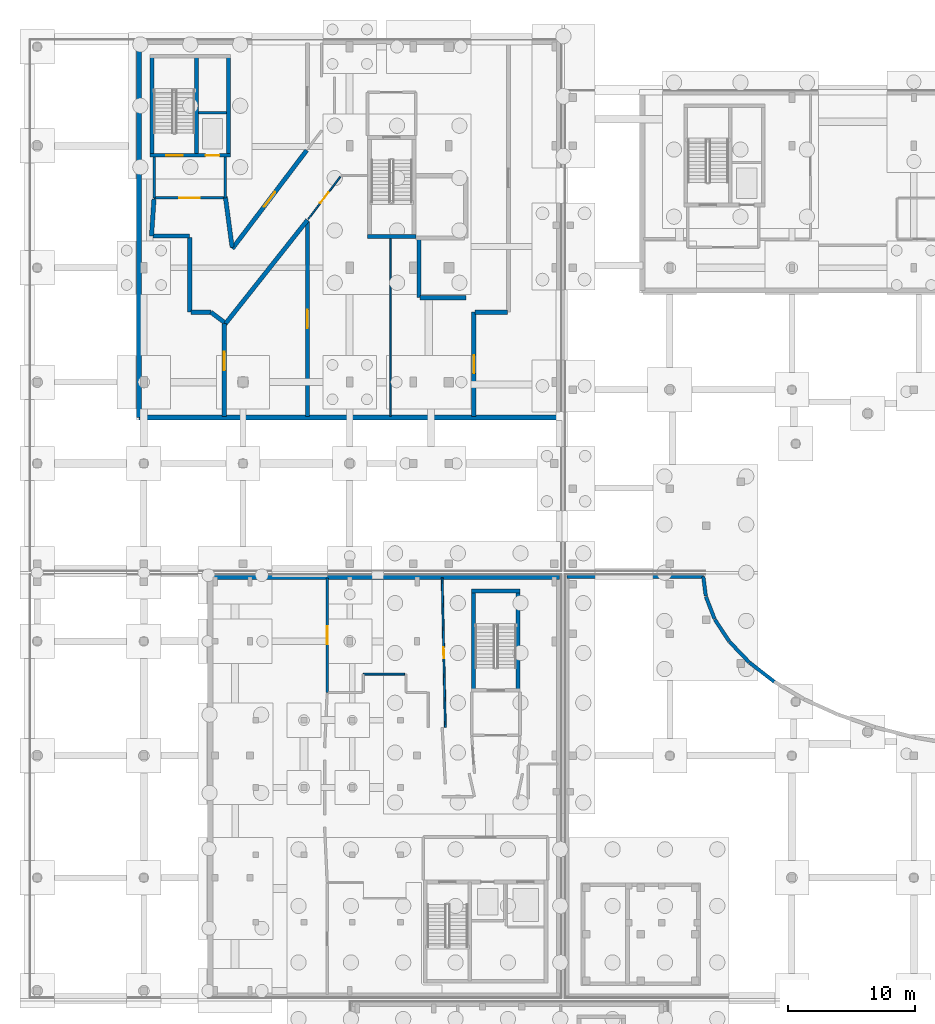
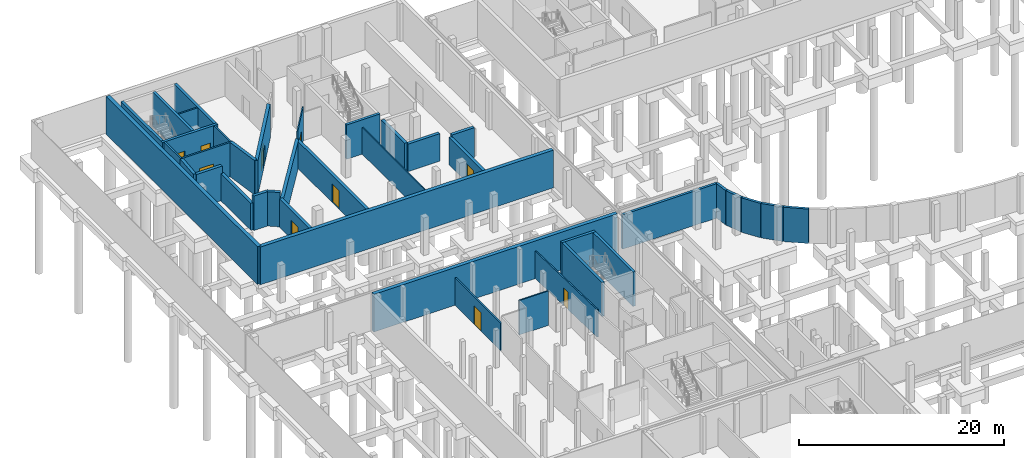
# One storey, part 23 of 40: 40 walls, 10 doors, 10 openings.
"""IFC4 building model written with IfcOpenShell, lengths in metres."""

from ifc_helpers import new_model, si_unit, direction, frame, frame_2d, origin, place, context, subcontext, project, spatial, rectangle, extrude, material, layer, layer_set, type_object, element, fill, save


model = new_model("IFC4")

# Units and contexts
model_context = context("Model", 3, precision=1e-05, world=origin(), true_north=direction((0.0, 1.0)))
body_context = subcontext(model_context, "Body", "Model", "MODEL_VIEW")
ifc_project = project(units=[si_unit("LENGTHUNIT", "METRE"), si_unit("AREAUNIT", "SQUARE_METRE"), si_unit("VOLUMEUNIT", "CUBIC_METRE"), si_unit("PLANEANGLEUNIT", "RADIAN"), si_unit("MASSUNIT", "GRAM", prefix="KILO")], contexts=[model_context])

# Site, building, storey
site_placement = place(None, origin())
site = spatial("IfcSite", under=ifc_project, at=site_placement, CompositionType="ELEMENT")
building_placement = place(site_placement, origin())
building = spatial("IfcBuilding", under=site, at=building_placement, Name="Mzevani Central Library", CompositionType="ELEMENT")
storey_placement = place(building_placement, frame((0.0, 0.0, -4.5)))
storey = spatial("IfcBuildingStorey", under=building, at=storey_placement, Name="B1", CompositionType="ELEMENT", Elevation=-4.5)

# Walls
ifc_material_1 = material(Name="Concrete C40/50", Category="concrete")
ifc_layer_1 = layer(ifc_material_1, 0.340087890625, Name="Archival Vault Wall 340")
ifc_layer_set_1 = layer_set([ifc_layer_1], Name="Concrete C40/50")
wall_type_1 = type_object("IfcWallType", Name="Archival Vault Wall 340", PredefinedType="STANDARD", material=ifc_layer_set_1)
wall_1_placement = place(storey_placement, frame((13.793212890625, 105.400146484375, 0.0), z_axis=(0.0, 0.0, 1.0), x_axis=(-0.066440960793, -0.997790358106, 0.0)))
element("IfcWall", 1, at=wall_1_placement, inside=storey, type_object=wall_type_1, Name="B1 V2 Partition IW-VAULT (1)", PredefinedType="STANDARD", context=body_context, shape_type="SweptSolid", body=[
    extrude(rectangle(XDim=2.906494140625, YDim=0.340087890625, at=frame_2d((1.453125, 0.0))), origin(), (0.0, 0.0, 1.0), 4.10009765625),
])
wall_2_placement = place(storey_placement, frame((13.699951171875, 102.5, 0.0), z_axis=(0.0, 0.0, 1.0), x_axis=(1.0, 0.0, 0.0)))
element("IfcWall", 2, at=wall_2_placement, inside=storey, type_object=wall_type_1, Name="B1 V2 Partition IW-VAULT (2)", PredefinedType="STANDARD", context=body_context, shape_type="SweptSolid", body=[
    extrude(rectangle(XDim=2.900146484375, YDim=0.340087890625, at=frame_2d((1.4501953125, 0.0))), origin(), (0.0, 0.0, 1.0), 4.10009765625),
])
wall_3_placement = place(storey_placement, frame((16.60009765625, 102.39990234375, 0.0), z_axis=(0.0, 0.0, 1.0), x_axis=(0.0, -1.0, 0.0)))
element("IfcWall", 3, at=wall_3_placement, inside=storey, type_object=wall_type_1, Name="B1 V2 Partition IW-VAULT (3)", PredefinedType="STANDARD", context=body_context, shape_type="SweptSolid", body=[
    extrude(rectangle(XDim=5.89990234375, YDim=0.340087890625, at=frame_2d((2.949951171875, 0.0))), origin(), (0.0, 0.0, 1.0), 3.22998046875),
])
wall_4_placement = place(storey_placement, frame((16.699951171875, 96.5, 0.0), z_axis=(0.0, 0.0, 1.0), x_axis=(1.0, 0.0, 0.0)))
element("IfcWall", 4, at=wall_4_placement, inside=storey, type_object=wall_type_1, Name="B1 V2 Partition IW-VAULT (4)", PredefinedType="STANDARD", context=body_context, shape_type="SweptSolid", body=[
    extrude(rectangle(XDim=1.580078125, YDim=0.340087890625, at=frame_2d((0.7900390625, 0.0))), origin(), (0.0, 0.0, 1.0), 4.10009765625),
])
wall_5_placement = place(storey_placement, frame((18.280029296875, 96.5, 0.0), z_axis=(0.0, 0.0, 1.0), x_axis=(0.797495786503, -0.603324515092, 0.0)))
element("IfcWall", 5, at=wall_5_placement, inside=storey, type_object=wall_type_1, Name="B1 V2 Partition IW-VAULT (5)", PredefinedType="STANDARD", context=body_context, shape_type="SweptSolid", body=[
    extrude(rectangle(XDim=1.31396484375, YDim=0.340087890625, at=frame_2d((0.656982421875, 0.0))), origin(), (0.0, 0.0, 1.0), 4.10009765625),
])

# Wall, opening, door
wall_6_placement = place(storey_placement, frame((19.327880859375, 95.607421875, 0.0), z_axis=(0.0, 0.0, 1.0), x_axis=(0.0, -1.0, 0.0)))
wall_6 = element("IfcWall", 6, at=wall_6_placement, inside=storey, type_object=wall_type_1, Name="B1 V2 Partition IW-VAULT (6)", PredefinedType="STANDARD", context=body_context, shape_type="SweptSolid", body=[
    extrude(rectangle(XDim=7.29736328125, YDim=0.340087890625, at=frame_2d((3.648681640625, 0.0))), origin(), (0.0, 0.0, 1.0), 3.3798828125),
])
opening_1_placement = place(wall_6_placement, frame((2.2236328125, 0.0, 0.0)))
opening_1 = element("IfcOpeningElement", 7, at=opening_1_placement, cuts=wall_6, Name="Opening FD-03", PredefinedType="OPENING", context=body_context, shape_type="SweptSolid", body=[
    extrude(rectangle(XDim=1.449951171875, YDim=2.199951171875, at=frame_2d((0.72509765625, 1.10009765625))), frame((0.0, 0.18017578125, 0.0), z_axis=(0.0, -1.0, 0.0), x_axis=(1.0, 0.0, 0.0)), (0.0, 0.0, 1.0), 0.360107421875),
])
ifc_material_2 = material(Name="Fire-rated steel door assembly", Category="steel")
door_type_1 = type_object("IfcDoorType", Name="Archival Vault Fire Door 1450x2200", OperationType="NOTDEFINED", PredefinedType="DOOR", material=ifc_material_2)
door_1_placement = place(opening_1_placement, origin())
door_1 = element("IfcDoor", 8, at=door_1_placement, inside=storey, type_object=door_type_1, Name="B1 Rare Books Climate Vault Door", OperationType="DOUBLE_DOOR_SINGLE_SWING", OverallHeight=2.199951171875, OverallWidth=1.449951171875, PredefinedType="DOOR", context=body_context, shape_type="SweptSolid", body=[
    extrude(rectangle(XDim=1.449951171875, YDim=2.199951171875, at=frame_2d((0.72509765625, 1.10009765625))), frame((0.0, 0.02490234375, 0.0), z_axis=(0.0, -1.0, 0.0), x_axis=(1.0, 0.0, 0.0)), (0.0, 0.0, 1.0), 0.050048828125),
])
fill(opening_1, door_1)

wall_7_placement = place(storey_placement, frame((25.815673828125, 109.24755859375, 0.0), z_axis=(0.0, 0.0, 1.0), x_axis=(-0.60326673285, -0.79753949685, 0.0)))
wall_7 = element("IfcWall", 9, at=wall_7_placement, inside=storey, type_object=wall_type_1, Name="B1 V2 Partition IW-VAULT (8)", PredefinedType="STANDARD", context=body_context, shape_type="SweptSolid", body=[
    extrude(rectangle(XDim=9.706787109375, YDim=0.340087890625, at=frame_2d((4.853515625, 0.0))), origin(), (0.0, 0.0, 1.0), 4.10009765625),
])
opening_2_placement = place(wall_7_placement, frame((4.12841796875, 0.0, 0.0)))
opening_2 = element("IfcOpeningElement", 10, at=opening_2_placement, cuts=wall_7, Name="Opening FD-03", PredefinedType="OPENING", context=body_context, shape_type="SweptSolid", body=[
    extrude(rectangle(XDim=1.449951171875, YDim=2.199951171875, at=frame_2d((0.72509765625, 1.10009765625))), frame((0.0, 0.18017578125, 0.0), z_axis=(0.0, -1.0, 0.0), x_axis=(1.0, 0.0, 0.0)), (0.0, 0.0, 1.0), 0.360107421875),
])
door_2_placement = place(opening_2_placement, origin())
door_2 = element("IfcDoor", 11, at=door_2_placement, inside=storey, type_object=door_type_1, Name="B1 Manuscript Preservation Vault Door", OperationType="DOUBLE_DOOR_SINGLE_SWING", OverallHeight=2.199951171875, OverallWidth=1.449951171875, PredefinedType="DOOR", context=body_context, shape_type="SweptSolid", body=[
    extrude(rectangle(XDim=1.449951171875, YDim=2.199951171875, at=frame_2d((0.72509765625, 1.10009765625))), frame((0.0, 0.02490234375, 0.0), z_axis=(0.0, -1.0, 0.0), x_axis=(1.0, 0.0, 0.0)), (0.0, 0.0, 1.0), 0.050048828125),
])
fill(opening_2, door_2)

# Walls
wall_8_placement = place(storey_placement, frame((19.94677734375, 101.60498046875, 0.0), z_axis=(0.0, 0.0, 1.0), x_axis=(-0.132980911194, 0.991118598987, 0.0)))
element("IfcWall", 12, at=wall_8_placement, inside=storey, type_object=wall_type_1, Name="B1 V2 Partition IW-VAULT (9)", PredefinedType="STANDARD", context=body_context, shape_type="SweptSolid", body=[
    extrude(rectangle(XDim=4.011474609375, YDim=0.340087890625, at=frame_2d((2.005859375, 0.0))), origin(), (0.0, 0.0, 1.0), 4.10009765625),
])
wall_9_placement = place(storey_placement, frame((19.39013671875, 95.56494140625, 0.0), z_axis=(0.0, 0.0, 1.0), x_axis=(0.620703542818, 0.784045350687, 0.0)))
element("IfcWall", 13, at=wall_9_placement, inside=storey, type_object=wall_type_1, Name="B1 V2 Partition IW-VAULT (10)", PredefinedType="STANDARD", context=body_context, shape_type="SweptSolid", body=[
    extrude(rectangle(XDim=10.44921875, YDim=0.340087890625, at=frame_2d((5.224609375, 0.0))), origin(), (0.0, 0.0, 1.0), 3.22998046875),
])

# Wall, opening, door
wall_10_placement = place(storey_placement, frame((25.8759765625, 103.65771484375, 0.0), z_axis=(0.0, 0.0, 1.0), x_axis=(0.0, -1.0, 0.0)))
wall_10 = element("IfcWall", 14, at=wall_10_placement, inside=storey, type_object=wall_type_1, Name="B1 V2 Partition IW-VAULT (11)", PredefinedType="STANDARD", context=body_context, shape_type="SweptSolid", body=[
    extrude(rectangle(XDim=15.34765625, YDim=0.340087890625, at=frame_2d((7.673828125, 0.0))), origin(), (0.0, 0.0, 1.0), 3.22998046875),
])
opening_3_placement = place(wall_10_placement, frame((6.94873046875, 0.0, 0.0)))
opening_3 = element("IfcOpeningElement", 15, at=opening_3_placement, cuts=wall_10, Name="Opening FD-03", PredefinedType="OPENING", context=body_context, shape_type="SweptSolid", body=[
    extrude(rectangle(XDim=1.449951171875, YDim=2.199951171875, at=frame_2d((0.72509765625, 1.10009765625))), frame((0.0, 0.18017578125, 0.0), z_axis=(0.0, -1.0, 0.0), x_axis=(1.0, 0.0, 0.0)), (0.0, 0.0, 1.0), 0.360107421875),
])
door_3_placement = place(opening_3_placement, origin())
door_3 = element("IfcDoor", 16, at=door_3_placement, inside=storey, type_object=door_type_1, Name="B1 Archival Cold Storage Chamber Door", OperationType="DOUBLE_DOOR_SINGLE_SWING", OverallHeight=2.199951171875, OverallWidth=1.449951171875, PredefinedType="DOOR", context=body_context, shape_type="SweptSolid", body=[
    extrude(rectangle(XDim=1.449951171875, YDim=2.199951171875, at=frame_2d((0.72509765625, 1.10009765625))), frame((0.0, 0.02490234375, 0.0), z_axis=(0.0, -1.0, 0.0), x_axis=(1.0, 0.0, 0.0)), (0.0, 0.0, 1.0), 0.050048828125),
])
fill(opening_3, door_3)

# Walls
wall_11_placement = place(storey_placement, frame((34.64990234375, 102.25, 0.0), z_axis=(0.0, 0.0, 1.0), x_axis=(0.0, -1.0, 0.0)))
element("IfcWall", 17, at=wall_11_placement, inside=storey, type_object=wall_type_1, Name="B1 V2 Partition IW-VAULT (21)", PredefinedType="STANDARD", context=body_context, shape_type="SweptSolid", body=[
    extrude(rectangle(XDim=4.60009765625, YDim=0.340087890625, at=frame_2d((2.300048828125, 0.0))), origin(), (0.0, 0.0, 1.0), 3.3798828125),
])
wall_12_placement = place(storey_placement, frame((34.75, 97.64990234375, 0.0), z_axis=(0.0, 0.0, 1.0), x_axis=(1.0, 0.0, 0.0)))
element("IfcWall", 18, at=wall_12_placement, inside=storey, type_object=wall_type_1, Name="B1 V2 Partition IW-VAULT (22)", PredefinedType="STANDARD", context=body_context, shape_type="SweptSolid", body=[
    extrude(rectangle(XDim=3.590087890625, YDim=0.340087890625, at=frame_2d((1.794921875, 0.0))), origin(), (0.0, 0.0, 1.0), 3.280029296875),
])

# Wall, opening, door
wall_13_placement = place(storey_placement, frame((38.971923828125, 96.5, 0.0), z_axis=(0.0, 0.0, 1.0), x_axis=(0.0, -1.0, 0.0)))
wall_13 = element("IfcWall", 19, at=wall_13_placement, inside=storey, type_object=wall_type_1, Name="B1 V2 Partition IW-VAULT (23)", PredefinedType="STANDARD", context=body_context, shape_type="SweptSolid", body=[
    extrude(rectangle(XDim=8.18994140625, YDim=0.340087890625, at=frame_2d((4.094970703125, 0.0))), origin(), (0.0, 0.0, 1.0), 3.280029296875),
])
opening_4_placement = place(wall_13_placement, frame((3.3701171875, 0.0, 0.0)))
opening_4 = element("IfcOpeningElement", 20, at=opening_4_placement, cuts=wall_13, Name="Opening FD-03", PredefinedType="OPENING", context=body_context, shape_type="SweptSolid", body=[
    extrude(rectangle(XDim=1.449951171875, YDim=2.199951171875, at=frame_2d((0.72509765625, 1.10009765625))), frame((0.0, 0.18017578125, 0.0), z_axis=(0.0, -1.0, 0.0), x_axis=(1.0, 0.0, 0.0)), (0.0, 0.0, 1.0), 0.360107421875),
])
door_4_placement = place(opening_4_placement, origin())
door_4 = element("IfcDoor", 21, at=door_4_placement, inside=storey, type_object=door_type_1, Name="B1 Rare Books Climate Vault 2 Door", OperationType="DOUBLE_DOOR_SINGLE_SWING", OverallHeight=2.199951171875, OverallWidth=1.449951171875, PredefinedType="DOOR", context=body_context, shape_type="SweptSolid", body=[
    extrude(rectangle(XDim=1.449951171875, YDim=2.199951171875, at=frame_2d((0.72509765625, 1.10009765625))), frame((0.0, 0.02490234375, 0.0), z_axis=(0.0, -1.0, 0.0), x_axis=(1.0, 0.0, 0.0)), (0.0, 0.0, 1.0), 0.050048828125),
])
fill(opening_4, door_4)

# Walls
wall_14_placement = place(storey_placement, frame((39.072021484375, 96.5, 0.0), z_axis=(0.0, 0.0, 1.0), x_axis=(1.0, 0.0, 0.0)))
element("IfcWall", 22, at=wall_14_placement, inside=storey, type_object=wall_type_1, Name="B1 V2 Partition IW-VAULT (25)", PredefinedType="STANDARD", context=body_context, shape_type="SweptSolid", body=[
    extrude(rectangle(XDim=2.528076171875, YDim=0.340087890625, at=frame_2d((1.26416015625, 0.0))), origin(), (0.0, 0.0, 1.0), 3.56005859375),
])
ifc_material_3 = material(Name="Concrete C35/45", Category="concrete")
ifc_layer_2 = layer(ifc_material_3, 0.419921875, Name="Basement Retaining Wall 420")
ifc_layer_set_2 = layer_set([ifc_layer_2], Name="Concrete C35/45")
wall_type_2 = type_object("IfcWallType", Name="Basement Retaining Wall 420", PredefinedType="SOLIDWALL", material=ifc_layer_set_2)
wall_15_placement = place(storey_placement, frame((45.68994140625, 88.2099609375, 0.0), z_axis=(0.0, 0.0, 1.0), x_axis=(-1.0, 0.0, 0.0)))
element("IfcWall", 23, at=wall_15_placement, inside=storey, type_object=wall_type_2, Name="B1 V2 Perimeter Retaining Wall (39)", PredefinedType="SOLIDWALL", context=body_context, shape_type="SweptSolid", body=[
    extrude(rectangle(XDim=33.079833984375, YDim=0.419921875, at=frame_2d((16.5400390625, 0.0))), origin(), (0.0, 0.0, 1.0), 4.5),
])
wall_16_placement = place(storey_placement, frame((12.610107421875, 88.2099609375, 0.0), z_axis=(0.0, 0.0, 1.0), x_axis=(0.0, 1.0, 0.0)))
element("IfcWall", 24, at=wall_16_placement, inside=storey, type_object=wall_type_2, Name="B1 V2 Perimeter Retaining Wall (40)", PredefinedType="SOLIDWALL", context=body_context, shape_type="SweptSolid", body=[
    extrude(rectangle(XDim=29.580078125, YDim=0.419921875, at=frame_2d((14.7900390625, 0.0))), origin(), (0.0, 0.0, 1.0), 4.5),
])
wall_17_placement = place(storey_placement, frame((18.2099609375, 75.68994140625, 0.0), z_axis=(0.0, 0.0, 1.0), x_axis=(1.0, 0.0, 0.0)))
element("IfcWall", 25, at=wall_17_placement, inside=storey, type_object=wall_type_2, Name="B1 V5 Perimeter Retaining Wall (66)", PredefinedType="SOLIDWALL", context=body_context, shape_type="SweptSolid", body=[
    extrude(rectangle(XDim=27.47998046875, YDim=0.419921875, at=frame_2d((13.739990234375, 0.0))), origin(), (0.0, 0.0, 1.0), 4.5),
])
ifc_layer_3 = layer(ifc_material_3, 0.199951171875, Name="Compartment Wall 200")
ifc_layer_set_3 = layer_set([ifc_layer_3], Name="Concrete C35/45")
wall_type_3 = type_object("IfcWallType", Name="Compartment Wall 200", PredefinedType="STANDARD", material=ifc_layer_set_3)
wall_18_placement = place(storey_placement, frame((13.800048828125, 108.699951171875, 0.0), z_axis=(0.0, 0.0, 1.0), x_axis=(0.0, -1.0, 0.0)))
element("IfcWall", 26, at=wall_18_placement, inside=storey, type_object=wall_type_3, Name="B1 Firefighting Stair and Lift Lobby C2A Enclosure Wall 1", PredefinedType="STANDARD", context=body_context, shape_type="SweptSolid", body=[
    extrude(rectangle(XDim=3.199951171875, YDim=0.199951171875, at=frame_2d((1.60009765625, 0.0))), origin(), (0.0, 0.0, 1.0), 4.10009765625),
])

# Wall, opening, door
wall_19_placement = place(storey_placement, frame((13.800048828125, 105.5, 0.0), z_axis=(0.0, 0.0, 1.0), x_axis=(1.0, 0.0, 0.0)))
wall_19 = element("IfcWall", 27, at=wall_19_placement, inside=storey, type_object=wall_type_3, Name="B1 Firefighting Stair and Lift Lobby C2A Enclosure Wall 2", PredefinedType="STANDARD", context=body_context, shape_type="SweptSolid", body=[
    extrude(rectangle(XDim=5.599853515625, YDim=0.199951171875, at=frame_2d((2.7998046875, 0.0))), origin(), (0.0, 0.0, 1.0), 4.10009765625),
])
opening_5_placement = place(wall_19_placement, frame((2.0, 0.0, 0.0)))
opening_5 = element("IfcOpeningElement", 28, at=opening_5_placement, cuts=wall_19, Name="Opening FD-02", PredefinedType="OPENING", context=body_context, shape_type="SweptSolid", body=[
    extrude(rectangle(XDim=1.60009765625, YDim=2.199951171875, at=frame_2d((0.800048828125, 1.10009765625))), frame((0.0, 0.10986328125, 0.0), z_axis=(0.0, -1.0, 0.0), x_axis=(1.0, 0.0, 0.0)), (0.0, 0.0, 1.0), 0.219970703125),
])
door_type_2 = type_object("IfcDoorType", Name="Fire Lobby Double Door 1600x2200", OperationType="NOTDEFINED", PredefinedType="DOOR", material=ifc_material_2)
door_5_placement = place(opening_5_placement, origin())
door_5 = element("IfcDoor", 29, at=door_5_placement, inside=storey, type_object=door_type_2, Name="B1 Firefighting Stair and Lift Lobby C2A Smoke-Control Door", OperationType="DOUBLE_DOOR_SINGLE_SWING", OverallHeight=2.199951171875, OverallWidth=1.60009765625, PredefinedType="DOOR", context=body_context, shape_type="SweptSolid", body=[
    extrude(rectangle(XDim=1.60009765625, YDim=2.199951171875, at=frame_2d((0.800048828125, 1.10009765625))), frame((0.0, 0.02490234375, 0.0), z_axis=(0.0, -1.0, 0.0), x_axis=(1.0, 0.0, 0.0)), (0.0, 0.0, 1.0), 0.050048828125),
])
fill(opening_5, door_5)

# Wall
wall_20_placement = place(storey_placement, frame((19.39990234375, 105.5, 0.0), z_axis=(0.0, 0.0, 1.0), x_axis=(0.0, 1.0, 0.0)))
element("IfcWall", 30, at=wall_20_placement, inside=storey, type_object=wall_type_3, Name="B1 Firefighting Stair and Lift Lobby C2A Enclosure Wall 3", PredefinedType="STANDARD", context=body_context, shape_type="SweptSolid", body=[
    extrude(rectangle(XDim=3.199951171875, YDim=0.199951171875, at=frame_2d((1.60009765625, 0.0))), origin(), (0.0, 0.0, 1.0), 4.10009765625),
])

# Wall, openings, doors
ifc_layer_4 = layer(ifc_material_1, 0.300048828125, Name="Core Shear Wall 300")
ifc_layer_set_4 = layer_set([ifc_layer_4], Name="Concrete C40/50")
wall_type_4 = type_object("IfcWallType", Name="Core Shear Wall 300", PredefinedType="SHEAR", material=ifc_layer_set_4)
wall_21_placement = place(storey_placement, frame((19.800048828125, 108.85009765625, 0.0), z_axis=(0.0, 0.0, 1.0), x_axis=(-1.0, 0.0, 0.0)))
wall_21 = element("IfcWall", 31, at=wall_21_placement, inside=storey, type_object=wall_type_4, Name="B1 Core C2A North-West Firefighting Core Shear Wall (-y)", PredefinedType="SHEAR", context=body_context, shape_type="SweptSolid", body=[
    extrude(rectangle(XDim=6.300048828125, YDim=0.300048828125, at=frame_2d((3.14990234375, 0.0))), origin(), (0.0, 0.0, 1.0), 4.10009765625),
])
opening_6_placement = place(wall_21_placement, frame((3.75, 0.0, 0.0)))
opening_6 = element("IfcOpeningElement", 32, at=opening_6_placement, cuts=wall_21, Name="Opening FD-01", PredefinedType="OPENING", context=body_context, shape_type="SweptSolid", body=[
    extrude(rectangle(XDim=1.300048828125, YDim=2.199951171875, at=frame_2d((0.64990234375, 1.10009765625))), frame((0.0, 0.16015625, 0.0), z_axis=(0.0, -1.0, 0.0), x_axis=(1.0, 0.0, 0.0)), (0.0, 0.0, 1.0), 0.320068359375),
])
opening_7_placement = place(wall_21_placement, frame((0.85009765625, 0.0, 0.0)))
opening_7 = element("IfcOpeningElement", 33, at=opening_7_placement, cuts=wall_21, Name="Opening LD-02", PredefinedType="OPENING", context=body_context, shape_type="SweptSolid", body=[
    extrude(rectangle(XDim=1.10009765625, YDim=2.14990234375, at=frame_2d((0.550048828125, 1.074951171875))), frame((0.0, 0.16015625, 0.0), z_axis=(0.0, -1.0, 0.0), x_axis=(1.0, 0.0, 0.0)), (0.0, 0.0, 1.0), 0.320068359375),
])
door_type_3 = type_object("IfcDoorType", Name="Fire Stair Door 1300x2200", OperationType="NOTDEFINED", PredefinedType="DOOR", material=ifc_material_2)
door_6_placement = place(opening_6_placement, origin())
door_6 = element("IfcDoor", 34, at=door_6_placement, inside=storey, type_object=door_type_3, Name="B1 ST-03 Protected Exit Stair Door", OperationType="SINGLE_SWING_RIGHT", OverallHeight=2.199951171875, OverallWidth=1.300048828125, PredefinedType="DOOR", context=body_context, shape_type="SweptSolid", body=[
    extrude(rectangle(XDim=1.300048828125, YDim=2.199951171875, at=frame_2d((0.64990234375, 1.10009765625))), frame((0.0, 0.02490234375, 0.0), z_axis=(0.0, -1.0, 0.0), x_axis=(1.0, 0.0, 0.0)), (0.0, 0.0, 1.0), 0.050048828125),
])
fill(opening_6, door_6)
ifc_material_4 = material(Name="Brushed stainless steel door", Category="steel")
door_type_4 = type_object("IfcDoorType", Name="Firefighting Lift Landing Door 1100x2150", OperationType="NOTDEFINED", PredefinedType="DOOR", material=ifc_material_4)
door_7_placement = place(opening_7_placement, origin())
door_7 = element("IfcDoor", 35, at=door_7_placement, inside=storey, type_object=door_type_4, Name="B1 Lift LF-FF1 Sliding Landing Door", OperationType="SLIDING_TO_LEFT", OverallHeight=2.14990234375, OverallWidth=1.10009765625, PredefinedType="DOOR", context=body_context, shape_type="SweptSolid", body=[
    extrude(rectangle(XDim=1.10009765625, YDim=2.14990234375, at=frame_2d((0.550048828125, 1.074951171875))), frame((0.0, 0.02490234375, 0.0), z_axis=(0.0, -1.0, 0.0), x_axis=(1.0, 0.0, 0.0)), (0.0, 0.0, 1.0), 0.050048828125),
])
fill(opening_7, door_7)

# Walls
for number, where, z_axis, x_axis, name in (
    (36, (13.64990234375, 108.699951171875, 0.0), (0.0, 0.0, 1.0), (0.0, 1.0, 0.0), "B1 Core C2A North-West Firefighting Core Shear Wall (-x)"),
    (37, (19.64990234375, 116.800048828125, 0.0), (0.0, 0.0, 1.0), (0.0, -1.0, 0.0), "B1 Core C2A North-West Firefighting Core Shear Wall (+x)"),
):
    element("IfcWall", number, at=place(storey_placement, frame(where, z_axis=z_axis, x_axis=x_axis)), inside=storey, type_object=wall_type_4, Name=name, PredefinedType="SHEAR", context=body_context, shape_type="SweptSolid", body=[
        extrude(rectangle(XDim=8.10009765625, YDim=0.300048828125, at=frame_2d((4.050048828125, 0.0))), origin(), (0.0, 0.0, 1.0), 4.10009765625),
    ])
wall_22_placement = place(storey_placement, frame((17.14990234375, 108.85009765625, 0.0), z_axis=(0.0, 0.0, 1.0), x_axis=(0.0, 1.0, 0.0)))
element("IfcWall", 38, at=wall_22_placement, inside=storey, type_object=wall_type_4, Name="B1 Core C2A North-West Firefighting Core Hoistway Shear Wall", PredefinedType="SHEAR", context=body_context, shape_type="SweptSolid", body=[
    extrude(rectangle(XDim=7.7998046875, YDim=0.300048828125, at=frame_2d((3.89990234375, 0.0))), origin(), (0.0, 0.0, 1.0), 4.10009765625),
])
wall_23_placement = place(storey_placement, frame((34.39990234375, 102.449951171875, 0.0), z_axis=(0.0, 0.0, 1.0), x_axis=(-1.0, 0.0, 0.0)))
element("IfcWall", 39, at=wall_23_placement, inside=storey, type_object=wall_type_4, Name="B1 Core C2B Stacks East Escape Stair Shear Wall (-y)", PredefinedType="SHEAR", context=body_context, shape_type="SweptSolid", body=[
    extrude(rectangle(XDim=3.7998046875, YDim=0.300048828125, at=frame_2d((1.89990234375, 0.0))), origin(), (0.0, 0.0, 1.0), 4.10009765625),
])
wall_24_placement = place(storey_placement, frame((38.949951171875, 66.60009765625, 0.0), z_axis=(0.0, 0.0, 1.0), x_axis=(0.0, 1.0, 0.0)))
element("IfcWall", 40, at=wall_24_placement, inside=storey, type_object=wall_type_4, Name="B1 Core C5B Lecture North Escape Stair Shear Wall (-x)", PredefinedType="SHEAR", context=body_context, shape_type="SweptSolid", body=[
    extrude(rectangle(XDim=8.099853515625, YDim=0.300048828125, at=frame_2d((4.0498046875, 0.0))), origin(), (0.0, 0.0, 1.0), 4.10009765625),
])
wall_25_placement = place(storey_placement, frame((38.800048828125, 74.550048828125, 0.0), z_axis=(0.0, 0.0, 1.0), x_axis=(1.0, 0.0, 0.0)))
element("IfcWall", 41, at=wall_25_placement, inside=storey, type_object=wall_type_4, Name="B1 Core C5B Lecture North Escape Stair Shear Wall (+y)", PredefinedType="SHEAR", context=body_context, shape_type="SweptSolid", body=[
    extrude(rectangle(XDim=3.800048828125, YDim=0.300048828125, at=frame_2d((1.89990234375, 0.0))), origin(), (0.0, 0.0, 1.0), 4.10009765625),
])
wall_26_placement = place(storey_placement, frame((42.449951171875, 74.699951171875, 0.0), z_axis=(0.0, 0.0, 1.0), x_axis=(0.0, -1.0, 0.0)))
element("IfcWall", 42, at=wall_26_placement, inside=storey, type_object=wall_type_4, Name="B1 Core C5B Lecture North Escape Stair Shear Wall (+x)", PredefinedType="SHEAR", context=body_context, shape_type="SweptSolid", body=[
    extrude(rectangle(XDim=8.099853515625, YDim=0.300048828125, at=frame_2d((4.0498046875, 0.0))), origin(), (0.0, 0.0, 1.0), 4.10009765625),
])
ifc_material_5 = material(Name="Precast concrete C40/50", Category="concrete")
ifc_layer_5 = layer(ifc_material_5, 0.280029296875, Name="Court Spandrel Wall 280")
ifc_layer_set_5 = layer_set([ifc_layer_5], Name="Precast concrete C40/50")
wall_type_5 = type_object("IfcWallType", Name="Court Spandrel Wall 280", PredefinedType="STANDARD", material=ifc_layer_set_5)
wall_27_placement = place(storey_placement, frame((46.31005859375, 75.68994140625, 0.0), z_axis=(0.0, 0.0, 1.0), x_axis=(1.0, 0.0, 0.0)))
element("IfcWall", 43, at=wall_27_placement, inside=storey, type_object=wall_type_5, Name="B1 V1 Perimeter Plinth Wall (9)", PredefinedType="STANDARD", context=body_context, shape_type="SweptSolid", body=[
    extrude(rectangle(XDim=10.717529296875, YDim=0.280029296875, at=frame_2d((5.35888671875, 0.0))), origin(), (0.0, 0.0, 1.0), 4.10009765625),
])
wall_28_placement = place(storey_placement, frame((57.027587890625, 75.68994140625, 0.0), z_axis=(0.0, 0.0, 1.0), x_axis=(0.126251427539, -0.991998274718, 0.0)))
element("IfcWall", 44, at=wall_28_placement, inside=storey, type_object=wall_type_5, Name="B1 V1 Perimeter Plinth Wall (10)", PredefinedType="STANDARD", context=body_context, shape_type="SweptSolid", body=[
    extrude(rectangle(XDim=1.531494140625, YDim=0.280029296875, at=frame_2d((0.765625, 0.0))), origin(), (0.0, 0.0, 1.0), 4.10009765625),
])
wall_29_placement = place(storey_placement, frame((57.2333984375, 74.12158203125, 0.0), z_axis=(0.0, 0.0, 1.0), x_axis=(0.360038302589, -0.932937522382, 0.0)))
element("IfcWall", 45, at=wall_29_placement, inside=storey, type_object=wall_type_5, Name="B1 V1 Perimeter Plinth Wall (11)", PredefinedType="STANDARD", context=body_context, shape_type="SweptSolid", body=[
    extrude(rectangle(XDim=1.8994140625, YDim=0.280029296875, at=frame_2d((0.94970703125, 0.0))), origin(), (0.0, 0.0, 1.0), 4.10009765625),
])
wall_30_placement = place(storey_placement, frame((57.937744140625, 72.3095703125, 0.0), z_axis=(0.0, 0.0, 1.0), x_axis=(0.550071659346, -0.835117458556, 0.0)))
element("IfcWall", 46, at=wall_30_placement, inside=storey, type_object=wall_type_5, Name="B1 V1 Perimeter Plinth Wall (12)", PredefinedType="STANDARD", context=body_context, shape_type="SweptSolid", body=[
    extrude(rectangle(XDim=2.048828125, YDim=0.280029296875, at=frame_2d((1.0244140625, 0.0))), origin(), (0.0, 0.0, 1.0), 4.10009765625),
])
wall_31_placement = place(storey_placement, frame((59.08837890625, 70.569091796875, 0.0), z_axis=(0.0, 0.0, 1.0), x_axis=(0.691368458863, -0.722502355767, 0.0)))
element("IfcWall", 47, at=wall_31_placement, inside=storey, type_object=wall_type_5, Name="B1 V1 Perimeter Plinth Wall (13)", PredefinedType="STANDARD", context=body_context, shape_type="SweptSolid", body=[
    extrude(rectangle(XDim=2.24267578125, YDim=0.280029296875, at=frame_2d((1.121337890625, 0.0))), origin(), (0.0, 0.0, 1.0), 4.10009765625),
])
wall_32_placement = place(storey_placement, frame((60.662353515625, 68.927490234375, 0.0), z_axis=(0.0, 0.0, 1.0), x_axis=(0.791815172507, -0.610760781802, 0.0)))
element("IfcWall", 48, at=wall_32_placement, inside=storey, type_object=wall_type_5, Name="B1 V1 Perimeter Plinth Wall (14)", PredefinedType="STANDARD", context=body_context, shape_type="SweptSolid", body=[
    extrude(rectangle(XDim=2.45947265625, YDim=0.280029296875, at=frame_2d((1.229736328125, 0.0))), origin(), (0.0, 0.0, 1.0), 4.10009765625),
])
ifc_material_6 = material(Name="Fire-rated gypsum board", Category="gypsum")
ifc_layer_6 = layer(ifc_material_6, 0.1201171875, Name="Partition Acoustic 120")
ifc_layer_set_6 = layer_set([ifc_layer_6], Name="Fire-rated gypsum board")
wall_type_6 = type_object("IfcWallType", Name="Partition Acoustic 120", PredefinedType="PARTITIONING", material=ifc_layer_set_6)
wall_33_placement = place(storey_placement, frame((32.424072265625, 102.300048828125, 0.0), z_axis=(0.0, 0.0, 1.0), x_axis=(0.0, -1.0, 0.0)))
element("IfcWall", 49, at=wall_33_placement, inside=storey, type_object=wall_type_6, Name="B1 V2 Partition IW-02 (13)", PredefinedType="PARTITIONING", context=body_context, shape_type="SweptSolid", body=[
    extrude(rectangle(XDim=13.989990234375, YDim=0.1201171875, at=frame_2d((6.9951171875, 0.0))), origin(), (0.0, 0.0, 1.0), 3.179931640625),
])

# Wall, opening, door
wall_34_placement = place(storey_placement, frame((25.936279296875, 103.83740234375, 0.0), z_axis=(0.0, 0.0, 1.0), x_axis=(0.603275989972, 0.797532494588, 0.0)))
wall_34 = element("IfcWall", 50, at=wall_34_placement, inside=storey, type_object=wall_type_6, Name="B1 V2 Partition IW-02 (14)", PredefinedType="PARTITIONING", context=body_context, shape_type="SweptSolid", body=[
    extrude(rectangle(XDim=4.178955078125, YDim=0.1201171875, at=frame_2d((2.08935546875, 0.0))), origin(), (0.0, 0.0, 1.0), 4.10009765625),
])
opening_8_placement = place(wall_34_placement, frame((1.564453125, 0.0, 0.0)))
opening_8 = element("IfcOpeningElement", 51, at=opening_8_placement, cuts=wall_34, Name="Opening ID-05", PredefinedType="OPENING", context=body_context, shape_type="SweptSolid", body=[
    extrude(rectangle(XDim=1.050048828125, YDim=2.14990234375, at=frame_2d((0.52490234375, 1.074951171875))), frame((0.0, 0.070068359375, 0.0), z_axis=(0.0, -1.0, 0.0), x_axis=(1.0, 0.0, 0.0)), (0.0, 0.0, 1.0), 0.14013671875),
])
ifc_material_7 = material(Name="Fire-rated solid oak leaf")
door_type_5 = type_object("IfcDoorType", Name="Conservation Lab Door 1050x2150", OperationType="NOTDEFINED", PredefinedType="DOOR", material=ifc_material_7)
door_8_placement = place(opening_8_placement, origin())
door_8 = element("IfcDoor", 52, at=door_8_placement, inside=storey, type_object=door_type_5, Name="B1 Digitisation Imaging Laboratory Door", OperationType="SINGLE_SWING_RIGHT", OverallHeight=2.14990234375, OverallWidth=1.050048828125, PredefinedType="DOOR", context=body_context, shape_type="SweptSolid", body=[
    extrude(rectangle(XDim=1.050048828125, YDim=2.14990234375, at=frame_2d((0.52490234375, 1.074951171875))), frame((0.0, 0.02490234375, 0.0), z_axis=(0.0, -1.0, 0.0), x_axis=(1.0, 0.0, 0.0)), (0.0, 0.0, 1.0), 0.050048828125),
])
fill(opening_8, door_8)

ifc_layer_7 = layer(ifc_material_6, 0.14990234375, Name="Partition Study 150")
ifc_layer_set_7 = layer_set([ifc_layer_7], Name="Fire-rated gypsum board")
wall_type_7 = type_object("IfcWallType", Name="Partition Study 150", PredefinedType="PARTITIONING", material=ifc_layer_set_7)
wall_35_placement = place(storey_placement, frame((36.475341796875, 75.590087890625, 0.0), z_axis=(0.0, 0.0, 1.0), x_axis=(0.02122368897, -0.999774752145, 0.0)))
wall_35 = element("IfcWall", 53, at=wall_35_placement, inside=storey, type_object=wall_type_7, Name="B1 V5 Partition IW-03 (54)", PredefinedType="PARTITIONING", context=body_context, shape_type="SweptSolid", body=[
    extrude(rectangle(XDim=11.767822265625, YDim=0.14990234375, at=frame_2d((5.8837890625, 0.0))), origin(), (0.0, 0.0, 1.0), 3.280029296875),
])
opening_9_placement = place(wall_35_placement, frame((5.458740234375, 0.0, 0.0)))
opening_9 = element("IfcOpeningElement", 54, at=opening_9_placement, cuts=wall_35, Name="Opening FD-08", PredefinedType="OPENING", context=body_context, shape_type="SweptSolid", body=[
    extrude(rectangle(XDim=0.85009765625, YDim=2.10009765625, at=frame_2d((0.425048828125, 1.050048828125))), frame((0.0, 0.0849609375, 0.0), z_axis=(0.0, -1.0, 0.0), x_axis=(1.0, 0.0, 0.0)), (0.0, 0.0, 1.0), 0.169921875),
])
door_type_6 = type_object("IfcDoorType", Name="Service Riser Fire Door 850x2100", OperationType="NOTDEFINED", PredefinedType="DOOR", material=ifc_material_2)
door_9_placement = place(opening_9_placement, origin())
door_9 = element("IfcDoor", 55, at=door_9_placement, inside=storey, type_object=door_type_6, Name="B1 Exhibition Crate Store Room Door", OperationType="SINGLE_SWING_RIGHT", OverallHeight=2.10009765625, OverallWidth=0.85009765625, PredefinedType="DOOR", context=body_context, shape_type="SweptSolid", body=[
    extrude(rectangle(XDim=0.85009765625, YDim=2.10009765625, at=frame_2d((0.425048828125, 1.050048828125))), frame((0.0, 0.02490234375, 0.0), z_axis=(0.0, -1.0, 0.0), x_axis=(1.0, 0.0, 0.0)), (0.0, 0.0, 1.0), 0.050048828125),
])
fill(opening_9, door_9)

# Walls
wall_36_placement = place(storey_placement, frame((33.530029296875, 68.02001953125, 0.0), z_axis=(0.0, 0.0, 1.0), x_axis=(-1.0, 0.0, 0.0)))
element("IfcWall", 56, at=wall_36_placement, inside=storey, type_object=wall_type_7, Name="B1 V5 Partition IW-03 (58)", PredefinedType="PARTITIONING", context=body_context, shape_type="SweptSolid", body=[
    extrude(rectangle(XDim=3.260009765625, YDim=0.14990234375, at=frame_2d((1.6298828125, 0.0))), origin(), (0.0, 0.0, 1.0), 4.10009765625),
])
ifc_material_8 = material(Name="Concrete blockwork masonry", Category="masonry")
ifc_layer_8 = layer(ifc_material_8, 0.179931640625, Name="Shaft Enclosure Wall 180")
ifc_layer_set_8 = layer_set([ifc_layer_8], Name="Concrete blockwork masonry")
wall_type_8 = type_object("IfcWallType", Name="Shaft Enclosure Wall 180", PredefinedType="PARTITIONING", material=ifc_layer_set_8)
wall_37_placement = place(storey_placement, frame((17.300048828125, 112.18994140625, 0.0), z_axis=(0.0, 0.0, 1.0), x_axis=(1.0, 0.0, 0.0)))
element("IfcWall", 57, at=wall_37_placement, inside=storey, type_object=wall_type_8, Name="B1 Lift LF-FF1 Hoistway Enclosure Wall", PredefinedType="PARTITIONING", context=body_context, shape_type="SweptSolid", body=[
    extrude(rectangle(XDim=2.199951171875, YDim=0.179931640625, at=frame_2d((1.10009765625, 0.0))), origin(), (0.0, 0.0, 1.0), 4.10009765625),
])

# Wall, opening, door
wall_38_placement = place(storey_placement, frame((27.4267578125, 75.590087890625, 0.0), z_axis=(0.0, 0.0, 1.0), x_axis=(0.0, -1.0, 0.0)))
wall_38 = element("IfcWall", 58, at=wall_38_placement, inside=storey, type_object=wall_type_8, Name="B1 V5 Partition IW-04 (49)", PredefinedType="PARTITIONING", context=body_context, shape_type="SweptSolid", body=[
    extrude(rectangle(XDim=9.01513671875, YDim=0.179931640625, at=frame_2d((4.507568359375, 0.0))), origin(), (0.0, 0.0, 1.0), 3.280029296875),
])
opening_10_placement = place(wall_38_placement, frame((3.8076171875, 0.0, 0.0)))
opening_10 = element("IfcOpeningElement", 59, at=opening_10_placement, cuts=wall_38, Name="Opening ID-10", PredefinedType="OPENING", context=body_context, shape_type="SweptSolid", body=[
    extrude(rectangle(XDim=1.39990234375, YDim=2.199951171875, at=frame_2d((0.699951171875, 1.10009765625))), frame((0.0, 0.10009765625, 0.0), z_axis=(0.0, -1.0, 0.0), x_axis=(1.0, 0.0, 0.0)), (0.0, 0.0, 1.0), 0.199951171875),
])
door_type_7 = type_object("IfcDoorType", Name="Plant Room Double Door 1400x2200", OperationType="NOTDEFINED", PredefinedType="DOOR", material=ifc_material_2)
door_10_placement = place(opening_10_placement, origin())
door_10 = element("IfcDoor", 60, at=door_10_placement, inside=storey, type_object=door_type_7, Name="B1 Auditorium Acoustic Plenum and AHU Plant Room Door", OperationType="DOUBLE_DOOR_SINGLE_SWING", OverallHeight=2.199951171875, OverallWidth=1.39990234375, PredefinedType="DOOR", context=body_context, shape_type="SweptSolid", body=[
    extrude(rectangle(XDim=1.39990234375, YDim=2.199951171875, at=frame_2d((0.699951171875, 1.10009765625))), frame((0.0, 0.02490234375, 0.0), z_axis=(0.0, -1.0, 0.0), x_axis=(1.0, 0.0, 0.0)), (0.0, 0.0, 1.0), 0.050048828125),
])
fill(opening_10, door_10)

save(model, "model.ifc")
